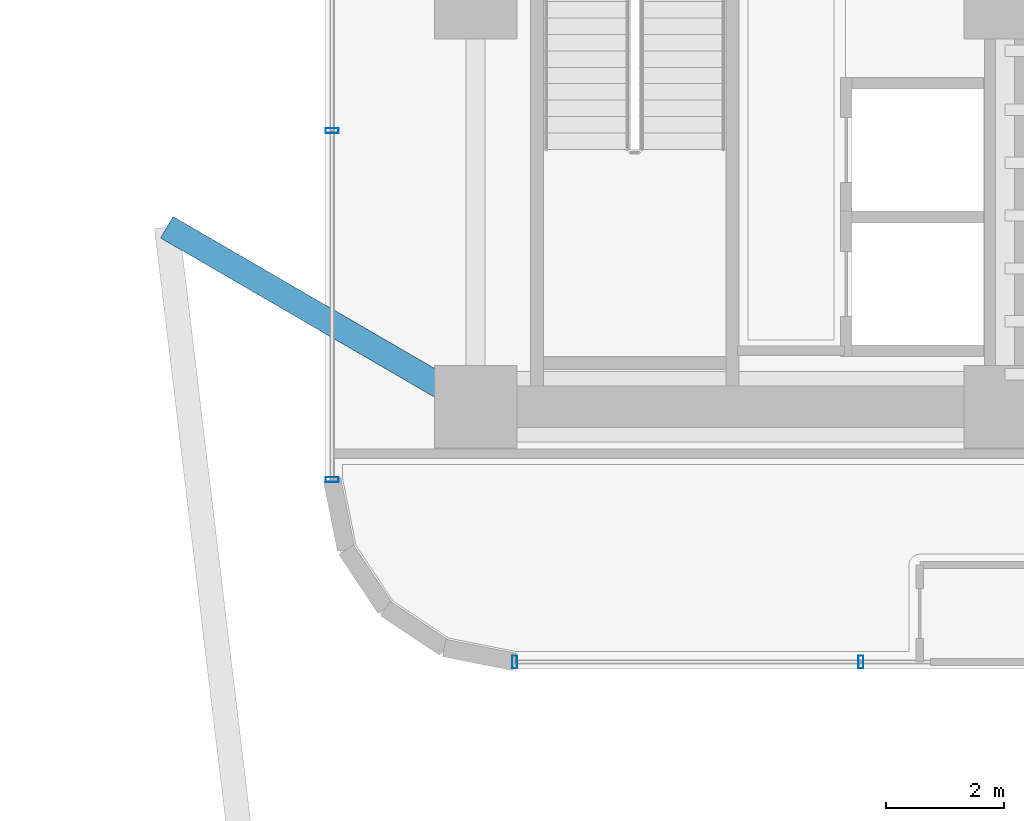
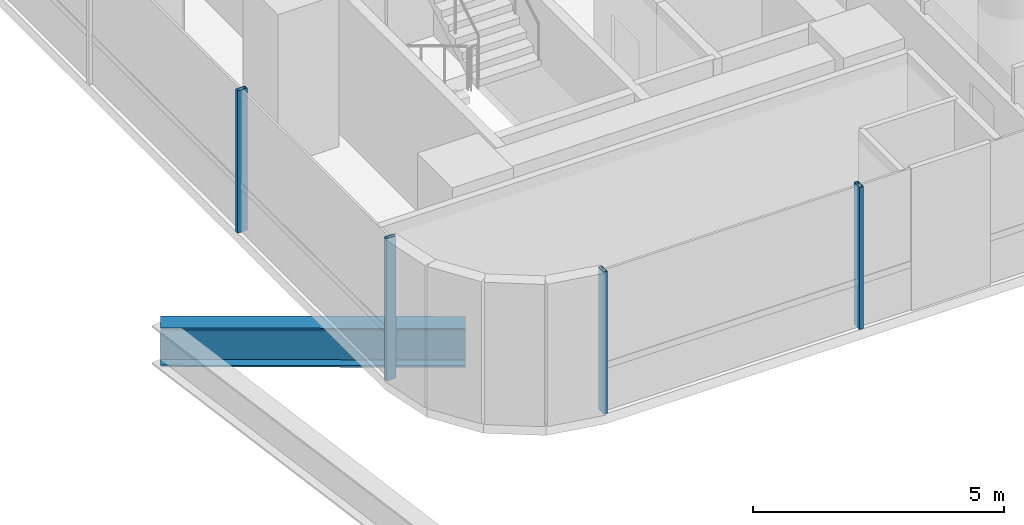
# One storey, part 15 of 50: 4 members, 1 beam, 2 elements without a shape of their own.
"""IFC4 building model written with IfcOpenShell, lengths in metres."""

from ifc_helpers import new_model, si_unit, direction, frame, origin, origin_2d, place, context, subcontext, project, spatial, hollow_rectangle, i_section, extrude, source, transform, mapped, material, material_profile, profile_set, type_object, element, aggregate, save


model = new_model("IFC4")

# Units and contexts
model_context = context("Model", 3, precision=1e-05, world=origin(), true_north=direction((0.0, 1.0)))
body_context = subcontext(model_context, "Body", "Model", "MODEL_VIEW")
ifc_project = project(units=[si_unit("LENGTHUNIT", "METRE"), si_unit("AREAUNIT", "SQUARE_METRE"), si_unit("VOLUMEUNIT", "CUBIC_METRE"), si_unit("PLANEANGLEUNIT", "RADIAN"), si_unit("MASSUNIT", "GRAM", prefix="KILO")], contexts=[model_context])

# Site, building, storey
site_placement = place(None, origin())
site = spatial("IfcSite", under=ifc_project, at=site_placement, CompositionType="ELEMENT")
building_placement = place(site_placement, origin())
building = spatial("IfcBuilding", under=site, at=building_placement, Name="Valdorenza Pilgrim Sanctuary Tower", CompositionType="ELEMENT")
storey_placement = place(building_placement, frame((0.0, 0.0, 26.0)))
storey = spatial("IfcBuildingStorey", under=building, at=storey_placement, Name="L05", CompositionType="ELEMENT", Elevation=26.0)

# Beam
ifc_material_1 = material(Name="Steel ASTM A992 Grade 50", Category="steel")
ifc_material_profile_1 = material_profile(ifc_material_1, i_section(OverallWidth=0.423095703125, OverallDepth=0.947998046875, WebThickness=0.02392578125, FlangeThickness=0.042724609375, at=origin_2d()), Name="W36X302")
ifc_profile_set_1 = profile_set([ifc_material_profile_1], Name="Steel ASTM A992 Grade 50")
beam_type = type_object("IfcBeamType", Name="STR-BM-GRD-W36A", PredefinedType="BEAM", material=ifc_profile_set_1)
shared_shape_1 = source(origin(), body_context, "Body", "SweptSolid", [
    extrude(i_section(OverallWidth=0.423095703125, OverallDepth=0.947998046875, WebThickness=0.02392578125, FlangeThickness=0.042724609375, at=origin_2d()), origin(), (0.0, 0.0, 1.0), 6.07177734375),
])
beam_placement = place(storey_placement, frame((10.60009765625, -6.5, -0.714111328125), z_axis=(0.864670076815, -0.50234018181, 0.0), x_axis=(0.50234018181, 0.864670076815, 0.0)))
element("IfcBeam", 1, at=beam_placement, inside=storey, type_object=beam_type, Name="L05 Floor Girder POD-ARCH-NE", PredefinedType="BEAM", context=body_context, shape_type="MappedRepresentation", body=[
    mapped(shared_shape_1, transform((0.0, 0.0, 0.0), x_axis=(1.0, 0.0, 0.0), y_axis=(0.0, 1.0, 0.0), z_axis=(0.0, 0.0, 1.0), scale=1.0)),
])

# Curtain wall, members
ifc_material_2 = material(Name="Curtain-wall IGU glazing", Category="glass")
curtain_wall_type = type_object("IfcCurtainWallType", Name="CW-SYS-03", PredefinedType="NOTDEFINED", material=ifc_material_2)
curtain_wall_1_placement = place(storey_placement, origin())
curtain_wall_1 = element("IfcCurtainWall", 2, at=curtain_wall_1_placement, inside=storey, type_object=curtain_wall_type, Name="L05 Curtain Wall CW-L05-1-26", PredefinedType="NOTDEFINED")
ifc_material_3 = material(Name="Anodised aluminium AW-6060", Category="aluminium")
ifc_material_profile_2 = material_profile(ifc_material_3, hollow_rectangle(XDim=0.0849609375, YDim=0.219970703125, WallThickness=0.0048828125, at=origin_2d()), Name="ALU-M 220x85x5")
ifc_profile_set_2 = profile_set([ifc_material_profile_2], Name="Anodised aluminium AW-6060")
member_type = type_object("IfcMemberType", Name="CW-MUL-03", PredefinedType="MULLION", material=ifc_profile_set_2)
shared_shape_2 = source(origin(), body_context, "Body", "SweptSolid", [
    extrude(hollow_rectangle(XDim=0.0849609375, YDim=0.219970703125, WallThickness=0.0048828125, at=origin_2d()), origin(), (0.0, 0.0, 1.0), 3.4599609375),
])
member_1_placement = place(storey_placement, frame((22.39990234375, -13.889892578125, 0.0), z_axis=(0.0, 0.0, 1.0), x_axis=(-1.0, 0.0, 0.0)))
member_1 = element("IfcMember", 3, at=member_1_placement, type_object=member_type, Name="CW-L05-1-26 Mullion 2", PredefinedType="MULLION", context=body_context, shape_type="MappedRepresentation", body=[
    mapped(shared_shape_2, transform((0.0, 0.0, 0.0), x_axis=(1.0, 0.0, 0.0), y_axis=(0.0, 1.0, 0.0), z_axis=(0.0, 0.0, 1.0), scale=1.0)),
])
member_2_placement = place(storey_placement, frame((16.5107421875, -13.889892578125, 0.0), z_axis=(0.0, 0.0, 1.0), x_axis=(-1.0, 0.0, 0.0)))
member_2 = element("IfcMember", 4, at=member_2_placement, type_object=member_type, Name="CW-L05-1-26 Mullion 3", PredefinedType="MULLION", context=body_context, shape_type="MappedRepresentation", body=[
    mapped(shared_shape_2, transform((0.0, 0.0, 0.0), x_axis=(1.0, 0.0, 0.0), y_axis=(0.0, 1.0, 0.0), z_axis=(0.0, 0.0, 1.0), scale=1.0)),
])
aggregate(curtain_wall_1, [member_1, member_2])

curtain_wall_2_placement = place(storey_placement, origin())
curtain_wall_2 = element("IfcCurtainWall", 5, at=curtain_wall_2_placement, inside=storey, type_object=curtain_wall_type, Name="L05 Curtain Wall CW-L05-1-31", PredefinedType="NOTDEFINED")
member_3_placement = place(storey_placement, frame((13.409912109375, -10.789306640625, 0.0), z_axis=(0.0, 0.0, 1.0), x_axis=(0.0, 1.0, 0.0)))
member_3 = element("IfcMember", 6, at=member_3_placement, type_object=member_type, Name="CW-L05-1-31 Mullion 1", PredefinedType="MULLION", context=body_context, shape_type="MappedRepresentation", body=[
    mapped(shared_shape_2, transform((0.0, 0.0, 0.0), x_axis=(1.0, 0.0, 0.0), y_axis=(0.0, 1.0, 0.0), z_axis=(0.0, 0.0, 1.0), scale=1.0)),
])
member_4_placement = place(storey_placement, frame((13.409912109375, -4.85595703125, 0.0), z_axis=(0.0, 0.0, 1.0), x_axis=(0.0, 1.0, 0.0)))
member_4 = element("IfcMember", 7, at=member_4_placement, type_object=member_type, Name="CW-L05-1-31 Mullion 2", PredefinedType="MULLION", context=body_context, shape_type="MappedRepresentation", body=[
    mapped(shared_shape_2, transform((0.0, 0.0, 0.0), x_axis=(1.0, 0.0, 0.0), y_axis=(0.0, 1.0, 0.0), z_axis=(0.0, 0.0, 1.0), scale=1.0)),
])
aggregate(curtain_wall_2, [member_3, member_4])

save(model, "model.ifc")
